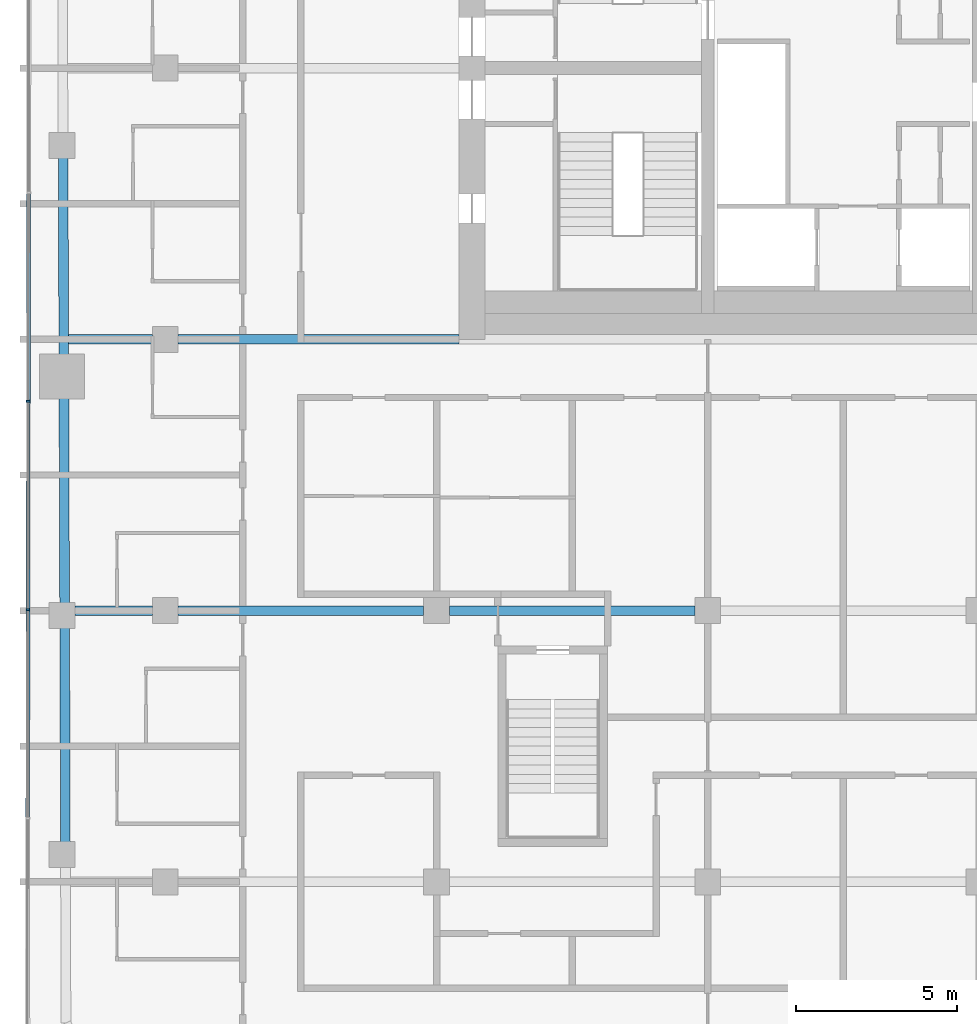
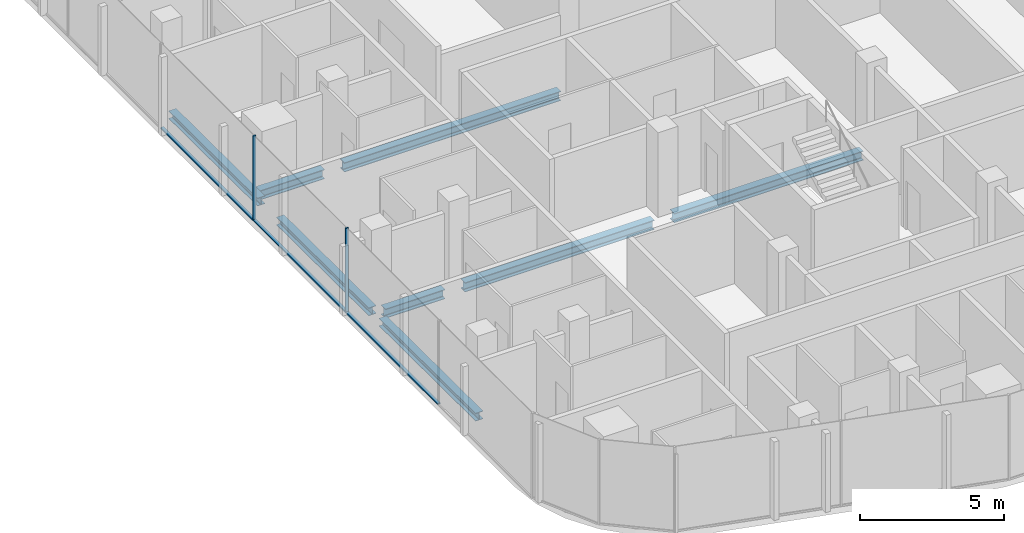
# One storey, part 4 of 22: 8 beams, 5 members, 1 element without a shape of its own.
"""IFC4 building model written with IfcOpenShell, lengths in metres."""

from ifc_helpers import new_model, si_unit, direction, frame, origin, origin_2d, place, context, subcontext, project, spatial, rectangle, i_section, extrude, material, layer, layer_set, material_profile, profile_set, type_object, element, aggregate, save


model = new_model("IFC4")

# Units and contexts
model_context = context("Model", 3, precision=1e-05, world=origin(), true_north=direction((0.0, 1.0)))
body_context = subcontext(model_context, "Body", "Model", "MODEL_VIEW")
ifc_project = project(units=[si_unit("LENGTHUNIT", "METRE"), si_unit("AREAUNIT", "SQUARE_METRE"), si_unit("VOLUMEUNIT", "CUBIC_METRE"), si_unit("PLANEANGLEUNIT", "RADIAN"), si_unit("MASSUNIT", "GRAM", prefix="KILO")], contexts=[model_context])

# Site, building, storey
site_placement = place(None, origin())
site = spatial("IfcSite", under=ifc_project, at=site_placement, CompositionType="ELEMENT")
building_placement = place(site_placement, origin())
building = spatial("IfcBuilding", under=site, at=building_placement, Name="Marenta Gate Hotel Tower", CompositionType="ELEMENT")
storey_placement = place(building_placement, frame((0.0, 0.0, 187.699951171875)))
storey = spatial("IfcBuildingStorey", under=building, at=storey_placement, Name="L42", CompositionType="ELEMENT", Elevation=187.699951171875)

# Beams
ifc_material_1 = material(Name="Steel S355", Category="steel")
ifc_material_profile_1 = material_profile(ifc_material_1, i_section(OverallWidth=0.300048828125, OverallDepth=0.340087890625, WebThickness=0.011962890625, FlangeThickness=0.021484375, FilletRadius=0.027099609375, at=origin_2d()), Name="HEB 340")
ifc_profile_set_1 = profile_set([ifc_material_profile_1], Name="Steel S355")
beam_type_1 = type_object("IfcBeamType", Name="Edge beam HEB 340", PredefinedType="SPANDREL", material=ifc_profile_set_1)
beam_1_placement = place(storey_placement, frame((-24.09375, -15.591796875, -0.429931640625), z_axis=(-0.00332539729, 0.999994470851, 0.0), x_axis=(-0.999994470851, -0.00332539729, 0.0)))
element("IfcBeam", 1, at=beam_1_placement, inside=storey, type_object=beam_type_1, Name="L42-EB-6", PredefinedType="SPANDREL", context=body_context, shape_type="SweptSolid", body=[
    extrude(i_section(OverallWidth=0.300048828125, OverallDepth=0.340087890625, WebThickness=0.011962890625, FlangeThickness=0.021484375, FilletRadius=0.027099609375, at=origin_2d()), origin(), (0.0, 0.0, 1.0), 6.680908203125),
])
beam_2_placement = place(storey_placement, frame((-24.118408203125, -8.19091796875, -0.429931640625), z_axis=(-0.003328723523, 0.999994459785, 0.0), x_axis=(-0.999994459785, -0.003328723523, 0.0)))
element("IfcBeam", 2, at=beam_2_placement, inside=storey, type_object=beam_type_1, Name="L42-EB-7", PredefinedType="SPANDREL", context=body_context, shape_type="SweptSolid", body=[
    extrude(i_section(OverallWidth=0.300048828125, OverallDepth=0.340087890625, WebThickness=0.011962890625, FlangeThickness=0.021484375, FilletRadius=0.027099609375, at=origin_2d()), origin(), (0.0, 0.0, 1.0), 6.380859375),
])
beam_3_placement = place(storey_placement, frame((-24.14404296875, -0.489990234375, -0.429931640625), z_axis=(-0.003303859048, 0.999994542243, 0.0), x_axis=(-0.999994542243, -0.003303859048, 0.0)))
element("IfcBeam", 3, at=beam_3_placement, inside=storey, type_object=beam_type_1, Name="L42-EB-8", PredefinedType="SPANDREL", context=body_context, shape_type="SweptSolid", body=[
    extrude(i_section(OverallWidth=0.300048828125, OverallDepth=0.340087890625, WebThickness=0.011962890625, FlangeThickness=0.021484375, FilletRadius=0.027099609375, at=origin_2d()), origin(), (0.0, 0.0, 1.0), 6.13330078125),
])
ifc_material_2 = material(Name="Steel S355", Category="steel")
ifc_material_profile_2 = material_profile(ifc_material_2, i_section(OverallWidth=0.300048828125, OverallDepth=0.39990234375, WebThickness=0.013427734375, FlangeThickness=0.02392578125, FilletRadius=0.027099609375, at=origin_2d()), Name="HEB 400")
ifc_profile_set_2 = profile_set([ifc_material_profile_2], Name="Steel S355")
beam_type_2 = type_object("IfcBeamType", Name="Girder HEB 400", PredefinedType="BEAM", material=ifc_profile_set_2)
beam_4_placement = place(storey_placement, frame((-23.800048828125, -8.39990234375, -0.4599609375), z_axis=(1.0, 0.0, 0.0), x_axis=(0.0, 1.0, 0.0)))
element("IfcBeam", 4, at=beam_4_placement, inside=storey, type_object=beam_type_2, Name="L42-GD-13", PredefinedType="BEAM", context=body_context, shape_type="SweptSolid", body=[
    extrude(i_section(OverallWidth=0.300048828125, OverallDepth=0.39990234375, WebThickness=0.013427734375, FlangeThickness=0.02392578125, FilletRadius=0.027099609375, at=origin_2d()), origin(), (0.0, 0.0, 1.0), 2.400146484375),
])
beam_5_placement = place(storey_placement, frame((-20.60009765625, -8.39990234375, -0.4599609375), z_axis=(1.0, 0.0, 0.0), x_axis=(0.0, 1.0, 0.0)))
element("IfcBeam", 5, at=beam_5_placement, inside=storey, type_object=beam_type_2, Name="L42-GD-14", PredefinedType="BEAM", context=body_context, shape_type="SweptSolid", body=[
    extrude(i_section(OverallWidth=0.300048828125, OverallDepth=0.39990234375, WebThickness=0.013427734375, FlangeThickness=0.02392578125, FilletRadius=0.027099609375, at=origin_2d()), origin(), (0.0, 0.0, 1.0), 7.60009765625),
])
beam_6_placement = place(storey_placement, frame((-12.199951171875, -8.39990234375, -0.4599609375), z_axis=(1.0, 0.0, 0.0), x_axis=(0.0, 1.0, 0.0)))
element("IfcBeam", 6, at=beam_6_placement, inside=storey, type_object=beam_type_2, Name="L42-GD-15", PredefinedType="BEAM", context=body_context, shape_type="SweptSolid", body=[
    extrude(i_section(OverallWidth=0.300048828125, OverallDepth=0.39990234375, WebThickness=0.013427734375, FlangeThickness=0.02392578125, FilletRadius=0.027099609375, at=origin_2d()), origin(), (0.0, 0.0, 1.0), 7.599853515625),
])
beam_7_placement = place(storey_placement, frame((-23.99560546875, 0.0, -0.4599609375), z_axis=(1.0, 0.0, 0.0), x_axis=(0.0, 1.0, 0.0)))
element("IfcBeam", 7, at=beam_7_placement, inside=storey, type_object=beam_type_2, Name="L42-GD-20", PredefinedType="BEAM", context=body_context, shape_type="SweptSolid", body=[
    extrude(i_section(OverallWidth=0.300048828125, OverallDepth=0.39990234375, WebThickness=0.013427734375, FlangeThickness=0.02392578125, FilletRadius=0.027099609375, at=origin_2d()), origin(), (0.0, 0.0, 1.0), 2.595703125),
])
beam_8_placement = place(storey_placement, frame((-20.60009765625, 0.0, -0.4599609375), z_axis=(1.0, 0.0, 0.0), x_axis=(0.0, 1.0, 0.0)))
element("IfcBeam", 8, at=beam_8_placement, inside=storey, type_object=beam_type_2, Name="L42-GD-21", PredefinedType="BEAM", context=body_context, shape_type="SweptSolid", body=[
    extrude(i_section(OverallWidth=0.300048828125, OverallDepth=0.39990234375, WebThickness=0.013427734375, FlangeThickness=0.02392578125, FilletRadius=0.027099609375, at=origin_2d()), origin(), (0.0, 0.0, 1.0), 8.7001953125),
])

# Curtain wall, members
ifc_material_3 = material(Name="Tinted insulated glass in bronze anodised frame", Category="glass")
ifc_layer = layer(ifc_material_3, 0.1201171875)
ifc_layer_set = layer_set([ifc_layer], Name="Tinted insulated glass in bronze anodised frame")
curtain_wall_type = type_object("IfcCurtainWallType", Name="Tower unitised curtain wall CW1", PredefinedType="NOTDEFINED", material=ifc_layer_set)
curtain_wall_placement = place(storey_placement, origin())
curtain_wall = element("IfcCurtainWall", 9, at=curtain_wall_placement, inside=storey, type_object=curtain_wall_type, Name="CW1 run G03", PredefinedType="NOTDEFINED")
ifc_material_4 = material(Name="Bronze anodised aluminium", Category="aluminium")
ifc_material_profile_3 = material_profile(ifc_material_4, rectangle(XDim=0.1201171875, YDim=0.06005859375, at=origin_2d()), Name="Mullion CW1 60x120 bronze anodised aluminium")
ifc_profile_set_3 = profile_set([ifc_material_profile_3], Name="Bronze anodised aluminium")
member_type_1 = type_object("IfcMemberType", Name="Mullion CW1 60x120 bronze anodised aluminium", PredefinedType="MULLION", material=ifc_profile_set_3)
member_1_placement = place(storey_placement, frame((-25.24267578125, -1.913818359375, 0.0), z_axis=(0.0, 0.0, 1.0), x_axis=(0.99999877375, -0.001566045546, 0.0)))
member_1 = element("IfcMember", 10, at=member_1_placement, type_object=member_type_1, Name="CW1 mullion 4", PredefinedType="MULLION", context=body_context, shape_type="SweptSolid", body=[
    extrude(rectangle(XDim=0.1201171875, YDim=0.06005859375, at=origin_2d()), origin(), (0.0, 0.0, 1.0), 3.60009765625),
])
member_2_placement = place(storey_placement, frame((-25.252685546875, -8.373779296875, 0.0), z_axis=(0.0, 0.0, 1.0), x_axis=(0.99999877375, -0.001566045546, 0.0)))
member_2 = element("IfcMember", 11, at=member_2_placement, type_object=member_type_1, Name="CW1 mullion 5", PredefinedType="MULLION", context=body_context, shape_type="SweptSolid", body=[
    extrude(rectangle(XDim=0.1201171875, YDim=0.06005859375, at=origin_2d()), origin(), (0.0, 0.0, 1.0), 3.60009765625),
])
ifc_material_5 = material(Name="Bronze anodised aluminium", Category="aluminium")
ifc_material_profile_4 = material_profile(ifc_material_5, rectangle(XDim=0.1201171875, YDim=0.06005859375, at=origin_2d()), Name="Transom CW1 60x120 bronze anodised aluminium")
ifc_profile_set_4 = profile_set([ifc_material_profile_4], Name="Bronze anodised aluminium")
member_type_2 = type_object("IfcMemberType", Name="Transom CW1 60x120 bronze anodised aluminium", PredefinedType="USERDEFINED", material=ifc_profile_set_4)
member_3_placement = place(storey_placement, frame((-25.232666015625, 4.51611328125, 0.030029296875), z_axis=(-0.001564047831, -0.999998776876, 0.0), x_axis=(0.999998776876, -0.001564047831, 0.0)))
member_3 = element("IfcMember", 12, at=member_3_placement, type_object=member_type_2, Name="CW1 transom 3.1", ObjectType="TRANSOM", PredefinedType="USERDEFINED", context=body_context, shape_type="SweptSolid", body=[
    extrude(rectangle(XDim=0.1201171875, YDim=0.06005859375, at=origin_2d()), origin(), (0.0, 0.0, 1.0), 6.39990234375),
])
member_4_placement = place(storey_placement, frame((-25.24267578125, -1.94384765625, 0.030029296875), z_axis=(-0.001564047831, -0.999998776876, 0.0), x_axis=(0.999998776876, -0.001564047831, 0.0)))
member_4 = element("IfcMember", 13, at=member_4_placement, type_object=member_type_2, Name="CW1 transom 4.1", ObjectType="TRANSOM", PredefinedType="USERDEFINED", context=body_context, shape_type="SweptSolid", body=[
    extrude(rectangle(XDim=0.1201171875, YDim=0.06005859375, at=origin_2d()), origin(), (0.0, 0.0, 1.0), 6.39990234375),
])
member_5_placement = place(storey_placement, frame((-25.2529296875, -8.40380859375, 0.030029296875), z_axis=(-0.001564047831, -0.999998776876, 0.0), x_axis=(0.999998776876, -0.001564047831, 0.0)))
member_5 = element("IfcMember", 14, at=member_5_placement, type_object=member_type_2, Name="CW1 transom 5.1", ObjectType="TRANSOM", PredefinedType="USERDEFINED", context=body_context, shape_type="SweptSolid", body=[
    extrude(rectangle(XDim=0.1201171875, YDim=0.06005859375, at=origin_2d()), origin(), (0.0, 0.0, 1.0), 6.39990234375),
])
aggregate(curtain_wall, [member_1, member_2, member_3, member_4, member_5])

save(model, "model.ifc")
